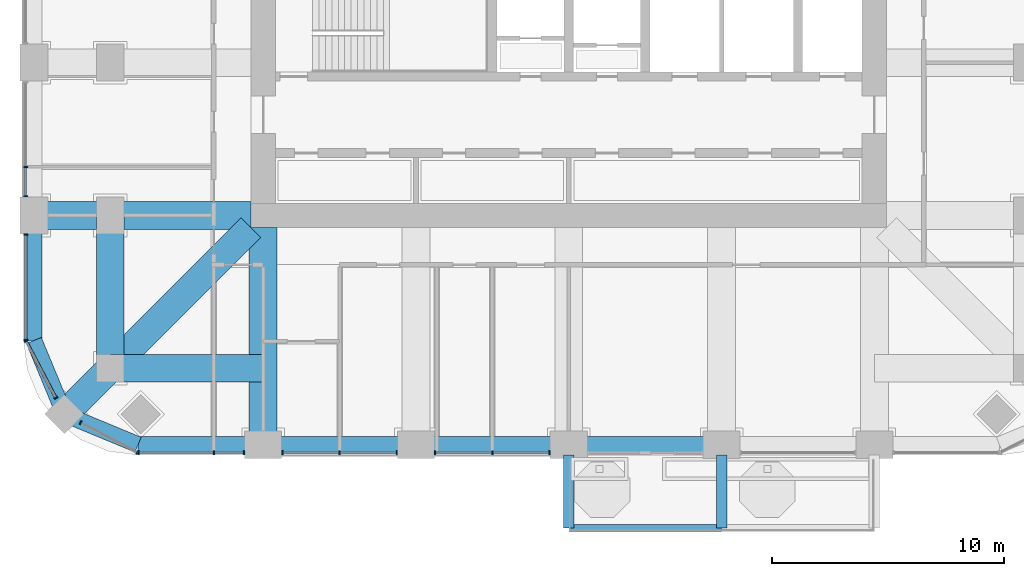
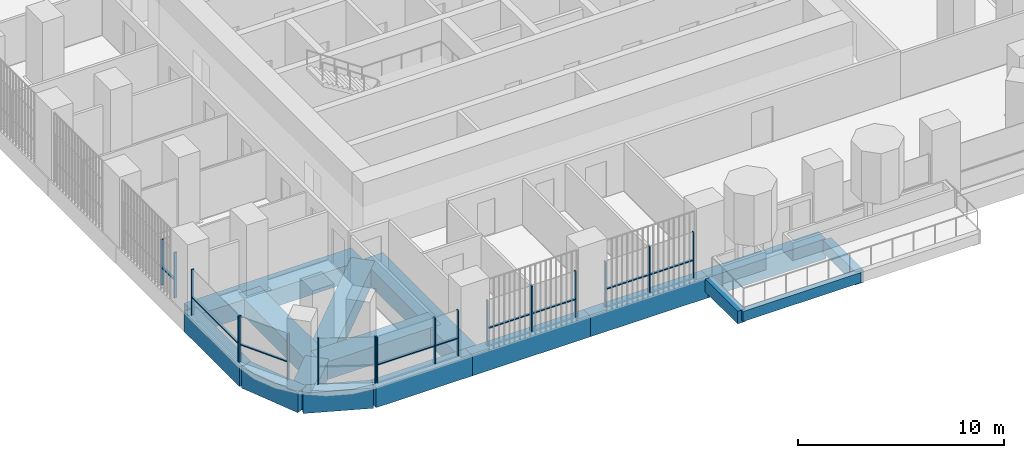
# One storey, part 2 of 19: 26 members, 16 beams, 7 elements without a shape of their own.
"""IFC4 building model written with IfcOpenShell, lengths in metres."""

from ifc_helpers import new_model, si_unit, direction, frame, origin, origin_2d, place, context, subcontext, project, spatial, rectangle, extrude, material, material_profile, profile_set, type_object, element, aggregate, save


model = new_model("IFC4")

# Units and contexts
model_context = context("Model", 3, precision=1e-05, world=origin(), true_north=direction((0.0, 1.0)))
body_context = subcontext(model_context, "Body", "Model", "MODEL_VIEW")
ifc_project = project(units=[si_unit("LENGTHUNIT", "METRE"), si_unit("AREAUNIT", "SQUARE_METRE"), si_unit("VOLUMEUNIT", "CUBIC_METRE"), si_unit("PLANEANGLEUNIT", "RADIAN"), si_unit("MASSUNIT", "GRAM", prefix="KILO")], contexts=[model_context])

# Site, building, storey
site_placement = place(None, origin())
site = spatial("IfcSite", under=ifc_project, at=site_placement, CompositionType="ELEMENT")
building_placement = place(site_placement, origin())
building = spatial("IfcBuilding", under=site, at=building_placement, Name="Cobogo Forest Laboratory Tower", CompositionType="ELEMENT")
storey_placement = place(building_placement, frame((0.0, 0.0, 164.10009765625)))
storey = spatial("IfcBuildingStorey", under=building, at=storey_placement, Name="L37", CompositionType="ELEMENT", Elevation=164.10009765625)

# Beams
ifc_material_1 = material(Name="Concrete HA-40 (C40/50)", Category="concrete")
ifc_material_profile_1 = material_profile(ifc_material_1, rectangle(XDim=0.449951171875, YDim=0.75, at=origin_2d()), Name="RC 450x750")
ifc_profile_set_1 = profile_set([ifc_material_profile_1], Name="Concrete HA-40 (C40/50)")
beam_type_1 = type_object("IfcBeamType", Name="Balcony cantilever beam 450x750", PredefinedType="BEAM", material=ifc_profile_set_1)
for number, where, z_axis, x_axis, name in (
    (1, (26.39990234375, 2.85009765625, -0.625), (0.0, -1.0, 0.0), (1.0, 0.0, 0.0), "CB1 BAL-S1-C1 L37"),
    (2, (33.0, 2.85009765625, -0.625), (0.0, -1.0, 0.0), (1.0, 0.0, 0.0), "CB1 BAL-S1-C2 L37"),
):
    element("IfcBeam", number, at=place(storey_placement, frame(where, z_axis=z_axis, x_axis=x_axis)), inside=storey, type_object=beam_type_1, Name=name, PredefinedType="BEAM", context=body_context, shape_type="SweptSolid", body=[
        extrude(rectangle(XDim=0.449951171875, YDim=0.75, at=origin_2d()), origin(), (0.0, 0.0, 1.0), 3.150146484375),
    ])
ifc_material_profile_2 = material_profile(ifc_material_1, rectangle(XDim=0.300048828125, YDim=0.60009765625, at=origin_2d()), Name="RC 300x600")
ifc_profile_set_2 = profile_set([ifc_material_profile_2], Name="Concrete HA-40 (C40/50)")
beam_type_2 = type_object("IfcBeamType", Name="Balcony edge beam 300x600", PredefinedType="BEAM", material=ifc_profile_set_2)
beam_1_placement = place(storey_placement, frame((26.39990234375, -0.300048828125, -0.550048828125), z_axis=(1.0, 0.0, 0.0), x_axis=(0.0, 1.0, 0.0)))
element("IfcBeam", 3, at=beam_1_placement, inside=storey, type_object=beam_type_2, Name="BB1 BAL-S1-T1 L37", PredefinedType="BEAM", context=body_context, shape_type="SweptSolid", body=[
    extrude(rectangle(XDim=0.300048828125, YDim=0.60009765625, at=origin_2d()), origin(), (0.0, 0.0, 1.0), 6.60009765625),
])
ifc_material_profile_3 = material_profile(ifc_material_1, rectangle(XDim=1.199951171875, YDim=1.050048828125, at=origin_2d()), Name="RC 1200x1050")
ifc_profile_set_3 = profile_set([ifc_material_profile_3], Name="Concrete HA-40 (C40/50)")
beam_type_3 = type_object("IfcBeamType", Name="Laboratory floor wide beam 1200x1050", PredefinedType="BEAM", material=ifc_profile_set_3)
for number, where, z_axis, x_axis, name in (
    (4, (13.199951171875, 12.675048828125, -0.8251953125), (0.0, -1.0, 0.0), (1.0, 0.0, 0.0), "RB1 R-3-S L37"),
    (5, (12.675048828125, 13.199951171875, -0.8251953125), (-1.0, 0.0, 0.0), (0.0, -1.0, 0.0), "RB1 R-C-W L37"),
):
    element("IfcBeam", number, at=place(storey_placement, frame(where, z_axis=z_axis, x_axis=x_axis)), inside=storey, type_object=beam_type_3, Name=name, PredefinedType="BEAM", context=body_context, shape_type="SweptSolid", body=[
        extrude(rectangle(XDim=1.199951171875, YDim=1.050048828125, at=origin_2d()), origin(), (0.0, 0.0, 1.0), 9.375),
    ])
for number, where, z_axis, x_axis, name in (
    (6, (6.60009765625, 6.60009765625, -0.8251953125), (0.0, 1.0, 0.0), (-1.0, 0.0, 0.0), "RB1 G-SW-XC L37"),
    (7, (6.60009765625, 6.60009765625, -0.8251953125), (1.0, 0.0, 0.0), (0.0, 1.0, 0.0), "RB1 G-SW-YC L37"),
):
    element("IfcBeam", number, at=place(storey_placement, frame(where, z_axis=z_axis, x_axis=x_axis)), inside=storey, type_object=beam_type_3, Name=name, PredefinedType="BEAM", context=body_context, shape_type="SweptSolid", body=[
        extrude(rectangle(XDim=1.199951171875, YDim=1.050048828125, at=origin_2d()), origin(), (0.0, 0.0, 1.0), 6.599853515625),
    ])
beam_2_placement = place(storey_placement, frame((4.617919921875, 4.617919921875, -0.8251953125), z_axis=(0.707106781187, 0.707106781187, 0.0), x_axis=(-0.707106781187, 0.707106781187, 0.0)))
element("IfcBeam", 8, at=beam_2_placement, inside=storey, type_object=beam_type_3, Name="RB1 G-SW-D1 L37", PredefinedType="BEAM", context=body_context, shape_type="SweptSolid", body=[
    extrude(rectangle(XDim=1.199951171875, YDim=1.050048828125, at=origin_2d()), origin(), (0.0, 0.0, 1.0), 2.80322265625),
])
beam_3_placement = place(storey_placement, frame((6.60009765625, 6.60009765625, -0.8251953125), z_axis=(0.707106781187, 0.707106781187, 0.0), x_axis=(-0.707106781187, 0.707106781187, 0.0)))
element("IfcBeam", 9, at=beam_3_placement, inside=storey, type_object=beam_type_3, Name="RB1 G-SW-D2 L37", PredefinedType="BEAM", context=body_context, shape_type="SweptSolid", body=[
    extrude(rectangle(XDim=1.199951171875, YDim=1.050048828125, at=origin_2d()), origin(), (0.0, 0.0, 1.0), 8.59130859375),
])

# Curtain wall, members
ifc_material_2 = material(Name="Aluminium curtain wall", Category="aluminium")
curtain_wall_type = type_object("IfcCurtainWallType", Name="CW-2 unitised curtain wall, solar control glazing, laboratory floors zones C and D", PredefinedType="USERDEFINED", material=ifc_material_2)
curtain_wall_1_placement = place(storey_placement, origin())
curtain_wall_1 = element("IfcCurtainWall", 10, at=curtain_wall_1_placement, inside=storey, type_object=curtain_wall_type, Name="Curtain wall 01 L37", ObjectType="UNITISED CURTAIN WALL", PredefinedType="USERDEFINED")
ifc_material_3 = material(Name="Aluminium mullion", Category="aluminium")
ifc_material_profile_4 = material_profile(ifc_material_3, rectangle(XDim=0.06005859375, YDim=0.159912109375, at=origin_2d()), Name="AL 60x160")
ifc_profile_set_4 = profile_set([ifc_material_profile_4], Name="Aluminium mullion")
member_type_1 = type_object("IfcMemberType", Name="MU-1 aluminium mullion 60x160", PredefinedType="MULLION", material=ifc_profile_set_4)
member_1_placement = place(storey_placement, frame((7.830078125, 2.949951171875, 0.0), z_axis=(0.0, 0.0, 1.0), x_axis=(1.0, 0.0, 0.0)))
member_1 = element("IfcMember", 11, at=member_1_placement, type_object=member_type_1, Name="CW-2 mullion 1", PredefinedType="MULLION", context=body_context, shape_type="SweptSolid", body=[
    extrude(rectangle(XDim=0.06005859375, YDim=0.159912109375, at=origin_2d()), origin(), (0.0, 0.0, 1.0), 2.699951171875),
])
member_2_placement = place(storey_placement, frame((11.074951171875, 2.949951171875, 0.0), z_axis=(0.0, 0.0, 1.0), x_axis=(1.0, 0.0, 0.0)))
member_2 = element("IfcMember", 12, at=member_2_placement, type_object=member_type_1, Name="CW-2 mullion 2", PredefinedType="MULLION", context=body_context, shape_type="SweptSolid", body=[
    extrude(rectangle(XDim=0.06005859375, YDim=0.159912109375, at=origin_2d()), origin(), (0.0, 0.0, 1.0), 2.699951171875),
])
member_3_placement = place(storey_placement, frame((12.3701171875, 2.949951171875, 0.0), z_axis=(0.0, 0.0, 1.0), x_axis=(1.0, 0.0, 0.0)))
member_3 = element("IfcMember", 13, at=member_3_placement, type_object=member_type_1, Name="CW-2 mullion 3", PredefinedType="MULLION", context=body_context, shape_type="SweptSolid", body=[
    extrude(rectangle(XDim=0.06005859375, YDim=0.159912109375, at=origin_2d()), origin(), (0.0, 0.0, 1.0), 2.699951171875),
])

curtain_wall_2_placement = place(storey_placement, origin())
curtain_wall_2 = element("IfcCurtainWall", 14, at=curtain_wall_2_placement, inside=storey, type_object=curtain_wall_type, Name="Curtain wall 02 L37", ObjectType="UNITISED CURTAIN WALL", PredefinedType="USERDEFINED")
member_4_placement = place(storey_placement, frame((14.030029296875, 2.949951171875, 0.0), z_axis=(0.0, 0.0, 1.0), x_axis=(1.0, 0.0, 0.0)))
member_4 = element("IfcMember", 15, at=member_4_placement, type_object=member_type_1, Name="CW-2 mullion 1", PredefinedType="MULLION", context=body_context, shape_type="SweptSolid", body=[
    extrude(rectangle(XDim=0.06005859375, YDim=0.159912109375, at=origin_2d()), origin(), (0.0, 0.0, 1.0), 2.699951171875),
])
member_5_placement = place(storey_placement, frame((16.5, 2.949951171875, 0.0), z_axis=(0.0, 0.0, 1.0), x_axis=(1.0, 0.0, 0.0)))
member_5 = element("IfcMember", 16, at=member_5_placement, type_object=member_type_1, Name="CW-2 mullion 2", PredefinedType="MULLION", context=body_context, shape_type="SweptSolid", body=[
    extrude(rectangle(XDim=0.06005859375, YDim=0.159912109375, at=origin_2d()), origin(), (0.0, 0.0, 1.0), 2.699951171875),
])
member_6_placement = place(storey_placement, frame((18.969970703125, 2.949951171875, 0.0), z_axis=(0.0, 0.0, 1.0), x_axis=(1.0, 0.0, 0.0)))
member_6 = element("IfcMember", 17, at=member_6_placement, type_object=member_type_1, Name="CW-2 mullion 3", PredefinedType="MULLION", context=body_context, shape_type="SweptSolid", body=[
    extrude(rectangle(XDim=0.06005859375, YDim=0.159912109375, at=origin_2d()), origin(), (0.0, 0.0, 1.0), 2.699951171875),
])

curtain_wall_3_placement = place(storey_placement, origin())
curtain_wall_3 = element("IfcCurtainWall", 18, at=curtain_wall_3_placement, inside=storey, type_object=curtain_wall_type, Name="Curtain wall 03 L37", ObjectType="UNITISED CURTAIN WALL", PredefinedType="USERDEFINED")
member_7_placement = place(storey_placement, frame((20.6298828125, 2.949951171875, 0.0), z_axis=(0.0, 0.0, 1.0), x_axis=(1.0, 0.0, 0.0)))
member_7 = element("IfcMember", 19, at=member_7_placement, type_object=member_type_1, Name="CW-2 mullion 1", PredefinedType="MULLION", context=body_context, shape_type="SweptSolid", body=[
    extrude(rectangle(XDim=0.06005859375, YDim=0.159912109375, at=origin_2d()), origin(), (0.0, 0.0, 1.0), 2.699951171875),
])
member_8_placement = place(storey_placement, frame((23.10009765625, 2.949951171875, 0.0), z_axis=(0.0, 0.0, 1.0), x_axis=(1.0, 0.0, 0.0)))
member_8 = element("IfcMember", 20, at=member_8_placement, type_object=member_type_1, Name="CW-2 mullion 2", PredefinedType="MULLION", context=body_context, shape_type="SweptSolid", body=[
    extrude(rectangle(XDim=0.06005859375, YDim=0.159912109375, at=origin_2d()), origin(), (0.0, 0.0, 1.0), 2.699951171875),
])
member_9_placement = place(storey_placement, frame((25.570068359375, 2.949951171875, 0.0), z_axis=(0.0, 0.0, 1.0), x_axis=(1.0, 0.0, 0.0)))
member_9 = element("IfcMember", 21, at=member_9_placement, type_object=member_type_1, Name="CW-2 mullion 3", PredefinedType="MULLION", context=body_context, shape_type="SweptSolid", body=[
    extrude(rectangle(XDim=0.06005859375, YDim=0.159912109375, at=origin_2d()), origin(), (0.0, 0.0, 1.0), 2.699951171875),
])

curtain_wall_4_placement = place(storey_placement, origin())
curtain_wall_4 = element("IfcCurtainWall", 22, at=curtain_wall_4_placement, inside=storey, type_object=curtain_wall_type, Name="Curtain wall 27 L37", ObjectType="UNITISED CURTAIN WALL", PredefinedType="USERDEFINED")
member_10_placement = place(storey_placement, frame((2.949951171875, 15.300048828125, 0.0), z_axis=(0.0, 0.0, 1.0), x_axis=(0.0, -1.0, 0.0)))
member_10 = element("IfcMember", 23, at=member_10_placement, type_object=member_type_1, Name="CW-2 mullion 2", PredefinedType="MULLION", context=body_context, shape_type="SweptSolid", body=[
    extrude(rectangle(XDim=0.06005859375, YDim=0.159912109375, at=origin_2d()), origin(), (0.0, 0.0, 1.0), 2.699951171875),
])
member_11_placement = place(storey_placement, frame((2.949951171875, 14.030029296875, 0.0), z_axis=(0.0, 0.0, 1.0), x_axis=(0.0, -1.0, 0.0)))
member_11 = element("IfcMember", 24, at=member_11_placement, type_object=member_type_1, Name="CW-2 mullion 3", PredefinedType="MULLION", context=body_context, shape_type="SweptSolid", body=[
    extrude(rectangle(XDim=0.06005859375, YDim=0.159912109375, at=origin_2d()), origin(), (0.0, 0.0, 1.0), 2.699951171875),
])

curtain_wall_5_placement = place(storey_placement, origin())
curtain_wall_5 = element("IfcCurtainWall", 25, at=curtain_wall_5_placement, inside=storey, type_object=curtain_wall_type, Name="Curtain wall 28 L37", ObjectType="UNITISED CURTAIN WALL", PredefinedType="USERDEFINED")
member_12_placement = place(storey_placement, frame((2.949951171875, 12.3701171875, 0.0), z_axis=(0.0, 0.0, 1.0), x_axis=(0.0, -1.0, 0.0)))
member_12 = element("IfcMember", 26, at=member_12_placement, type_object=member_type_1, Name="CW-2 mullion 1", PredefinedType="MULLION", context=body_context, shape_type="SweptSolid", body=[
    extrude(rectangle(XDim=0.06005859375, YDim=0.159912109375, at=origin_2d()), origin(), (0.0, 0.0, 1.0), 2.699951171875),
])
member_13_placement = place(storey_placement, frame((2.949951171875, 7.830078125, 0.0), z_axis=(0.0, 0.0, 1.0), x_axis=(0.0, -1.0, 0.0)))
member_13 = element("IfcMember", 27, at=member_13_placement, type_object=member_type_1, Name="CW-2 mullion 2", PredefinedType="MULLION", context=body_context, shape_type="SweptSolid", body=[
    extrude(rectangle(XDim=0.06005859375, YDim=0.159912109375, at=origin_2d()), origin(), (0.0, 0.0, 1.0), 2.699951171875),
])

curtain_wall_6_placement = place(storey_placement, origin())
curtain_wall_6 = element("IfcCurtainWall", 28, at=curtain_wall_6_placement, inside=storey, type_object=curtain_wall_type, Name="Curtain wall 29 L37", ObjectType="UNITISED CURTAIN WALL", PredefinedType="USERDEFINED")
member_14_placement = place(storey_placement, frame((2.9638671875, 7.7734375, 0.0), z_axis=(0.0, 0.0, 1.0), x_axis=(0.464283818822, -0.885686477022, 0.0)))
member_14 = element("IfcMember", 29, at=member_14_placement, type_object=member_type_1, Name="CW-2 mullion 1", PredefinedType="MULLION", context=body_context, shape_type="SweptSolid", body=[
    extrude(rectangle(XDim=0.06005859375, YDim=0.159912109375, at=origin_2d()), origin(), (0.0, 0.0, 1.0), 2.699951171875),
])
member_15_placement = place(storey_placement, frame((4.2490234375, 5.322021484375, 0.0), z_axis=(0.0, 0.0, 1.0), x_axis=(0.464283818822, -0.885686477022, 0.0)))
member_15 = element("IfcMember", 30, at=member_15_placement, type_object=member_type_1, Name="CW-2 mullion 2", PredefinedType="MULLION", context=body_context, shape_type="SweptSolid", body=[
    extrude(rectangle(XDim=0.06005859375, YDim=0.159912109375, at=origin_2d()), origin(), (0.0, 0.0, 1.0), 2.699951171875),
])

curtain_wall_7_placement = place(storey_placement, origin())
curtain_wall_7 = element("IfcCurtainWall", 31, at=curtain_wall_7_placement, inside=storey, type_object=curtain_wall_type, Name="Curtain wall 30 L37", ObjectType="UNITISED CURTAIN WALL", PredefinedType="USERDEFINED")
member_16_placement = place(storey_placement, frame((5.322021484375, 4.2490234375, 0.0), z_axis=(0.0, 0.0, 1.0), x_axis=(0.885686477022, -0.464283818822, 0.0)))
member_16 = element("IfcMember", 32, at=member_16_placement, type_object=member_type_1, Name="CW-2 mullion 1", PredefinedType="MULLION", context=body_context, shape_type="SweptSolid", body=[
    extrude(rectangle(XDim=0.06005859375, YDim=0.159912109375, at=origin_2d()), origin(), (0.0, 0.0, 1.0), 2.699951171875),
])
member_17_placement = place(storey_placement, frame((7.7734375, 2.9638671875, 0.0), z_axis=(0.0, 0.0, 1.0), x_axis=(0.885686477022, -0.464283818822, 0.0)))
member_17 = element("IfcMember", 33, at=member_17_placement, type_object=member_type_1, Name="CW-2 mullion 2", PredefinedType="MULLION", context=body_context, shape_type="SweptSolid", body=[
    extrude(rectangle(XDim=0.06005859375, YDim=0.159912109375, at=origin_2d()), origin(), (0.0, 0.0, 1.0), 2.699951171875),
])
aggregate(curtain_wall_7, [member_16, member_17])

# Beams
ifc_material_profile_5 = material_profile(ifc_material_1, rectangle(XDim=0.699951171875, YDim=1.199951171875, at=origin_2d()), Name="RC 700x1200")
ifc_profile_set_5 = profile_set([ifc_material_profile_5], Name="Concrete HA-40 (C40/50)")
beam_type_4 = type_object("IfcBeamType", Name="Perimeter edge beam 700x1200", PredefinedType="BEAM", material=ifc_profile_set_5)
beam_4_placement = place(storey_placement, frame((13.199951171875, 3.300048828125, -0.900146484375), z_axis=(1.0, 0.0, 0.0), x_axis=(0.0, 1.0, 0.0)))
element("IfcBeam", 34, at=beam_4_placement, inside=storey, type_object=beam_type_4, Name="EB1 E-S1 L37", PredefinedType="BEAM", context=body_context, shape_type="SweptSolid", body=[
    extrude(rectangle(XDim=0.699951171875, YDim=1.199951171875, at=origin_2d()), origin(), (0.0, 0.0, 1.0), 6.60009765625),
])
beam_5_placement = place(storey_placement, frame((19.800048828125, 3.300048828125, -0.900146484375), z_axis=(1.0, 0.0, 0.0), x_axis=(0.0, 1.0, 0.0)))
element("IfcBeam", 35, at=beam_5_placement, inside=storey, type_object=beam_type_4, Name="EB1 E-S2 L37", PredefinedType="BEAM", context=body_context, shape_type="SweptSolid", body=[
    extrude(rectangle(XDim=0.699951171875, YDim=1.199951171875, at=origin_2d()), origin(), (0.0, 0.0, 1.0), 6.599853515625),
])
beam_6_placement = place(storey_placement, frame((26.39990234375, 3.300048828125, -0.900146484375), z_axis=(1.0, 0.0, 0.0), x_axis=(0.0, 1.0, 0.0)))
element("IfcBeam", 36, at=beam_6_placement, inside=storey, type_object=beam_type_4, Name="EB1 E-S3 L37", PredefinedType="BEAM", context=body_context, shape_type="SweptSolid", body=[
    extrude(rectangle(XDim=0.699951171875, YDim=1.199951171875, at=origin_2d()), origin(), (0.0, 0.0, 1.0), 6.60009765625),
])
beam_7_placement = place(storey_placement, frame((13.199951171875, 3.300048828125, -0.900146484375), z_axis=(-1.0, 0.0, 0.0), x_axis=(0.0, -1.0, 0.0)))
element("IfcBeam", 37, at=beam_7_placement, inside=storey, type_object=beam_type_4, Name="EB1 E-SWS1 L37", PredefinedType="BEAM", context=body_context, shape_type="SweptSolid", body=[
    extrude(rectangle(XDim=0.699951171875, YDim=1.199951171875, at=origin_2d()), origin(), (0.0, 0.0, 1.0), 5.39990234375),
])
beam_8_placement = place(storey_placement, frame((7.800048828125, 3.300048828125, -0.900146484375), z_axis=(-0.923901072997, 0.382631424892, 0.0), x_axis=(-0.382631424892, -0.923901072997, 0.0)))
element("IfcBeam", 38, at=beam_8_placement, inside=storey, type_object=beam_type_4, Name="EB1 E-SWS2 L37", PredefinedType="BEAM", context=body_context, shape_type="SweptSolid", body=[
    extrude(rectangle(XDim=0.699951171875, YDim=1.199951171875, at=origin_2d()), origin(), (0.0, 0.0, 1.0), 3.4443359375),
])
beam_9_placement = place(storey_placement, frame((3.300048828125, 13.199951171875, -0.900146484375), z_axis=(0.0, -1.0, 0.0), x_axis=(1.0, 0.0, 0.0)))
element("IfcBeam", 39, at=beam_9_placement, inside=storey, type_object=beam_type_4, Name="EB1 E-SWW1 L37", PredefinedType="BEAM", context=body_context, shape_type="SweptSolid", body=[
    extrude(rectangle(XDim=0.699951171875, YDim=1.199951171875, at=origin_2d()), origin(), (0.0, 0.0, 1.0), 5.39990234375),
])
beam_10_placement = place(storey_placement, frame((3.300048828125, 7.800048828125, -0.900146484375), z_axis=(0.382631424892, -0.923901072997, 0.0), x_axis=(0.923901072997, 0.382631424892, 0.0)))
element("IfcBeam", 40, at=beam_10_placement, inside=storey, type_object=beam_type_4, Name="EB1 E-SWW2 L37", PredefinedType="BEAM", context=body_context, shape_type="SweptSolid", body=[
    extrude(rectangle(XDim=0.699951171875, YDim=1.199951171875, at=origin_2d()), origin(), (0.0, 0.0, 1.0), 3.4443359375),
])

# Member
ifc_material_4 = material(Name="Aluminium transom", Category="aluminium")
ifc_material_profile_6 = material_profile(ifc_material_4, rectangle(XDim=0.1201171875, YDim=0.06005859375, at=origin_2d()), Name="AL 60x120")
ifc_profile_set_6 = profile_set([ifc_material_profile_6], Name="Aluminium transom")
member_type_2 = type_object("IfcMemberType", Name="TR-1 aluminium transom 60x120", PredefinedType="USERDEFINED", material=ifc_profile_set_6)
member_18_placement = place(storey_placement, frame((7.860107421875, 2.949951171875, 1.0498046875), z_axis=(1.0, 0.0, 0.0), x_axis=(0.0, 1.0, 0.0)))
member_18 = element("IfcMember", 41, at=member_18_placement, type_object=member_type_2, Name="CW-2 transom 1.1", ObjectType="TRANSOM", PredefinedType="USERDEFINED", context=body_context, shape_type="SweptSolid", body=[
    extrude(rectangle(XDim=0.1201171875, YDim=0.06005859375, at=origin_2d()), origin(), (0.0, 0.0, 1.0), 3.184814453125),
])

member_19_placement = place(storey_placement, frame((11.10498046875, 2.949951171875, 1.0498046875), z_axis=(1.0, 0.0, 0.0), x_axis=(0.0, 1.0, 0.0)))
member_19 = element("IfcMember", 42, at=member_19_placement, type_object=member_type_2, Name="CW-2 transom 2.1", ObjectType="TRANSOM", PredefinedType="USERDEFINED", context=body_context, shape_type="SweptSolid", body=[
    extrude(rectangle(XDim=0.1201171875, YDim=0.06005859375, at=origin_2d()), origin(), (0.0, 0.0, 1.0), 1.235107421875),
])

aggregate(curtain_wall_1, [member_1, member_2, member_3, member_18, member_19])

member_20_placement = place(storey_placement, frame((14.06005859375, 2.949951171875, 1.0498046875), z_axis=(1.0, 0.0, 0.0), x_axis=(0.0, 1.0, 0.0)))
member_20 = element("IfcMember", 43, at=member_20_placement, type_object=member_type_2, Name="CW-2 transom 1.1", ObjectType="TRANSOM", PredefinedType="USERDEFINED", context=body_context, shape_type="SweptSolid", body=[
    extrude(rectangle(XDim=0.1201171875, YDim=0.06005859375, at=origin_2d()), origin(), (0.0, 0.0, 1.0), 2.409912109375),
])

member_21_placement = place(storey_placement, frame((16.530029296875, 2.949951171875, 1.0498046875), z_axis=(1.0, 0.0, 0.0), x_axis=(0.0, 1.0, 0.0)))
member_21 = element("IfcMember", 44, at=member_21_placement, type_object=member_type_2, Name="CW-2 transom 2.1", ObjectType="TRANSOM", PredefinedType="USERDEFINED", context=body_context, shape_type="SweptSolid", body=[
    extrude(rectangle(XDim=0.1201171875, YDim=0.06005859375, at=origin_2d()), origin(), (0.0, 0.0, 1.0), 2.409912109375),
])

aggregate(curtain_wall_2, [member_4, member_5, member_6, member_20, member_21])

member_22_placement = place(storey_placement, frame((20.659912109375, 2.949951171875, 1.0498046875), z_axis=(1.0, 0.0, 0.0), x_axis=(0.0, 1.0, 0.0)))
member_22 = element("IfcMember", 45, at=member_22_placement, type_object=member_type_2, Name="CW-2 transom 1.1", ObjectType="TRANSOM", PredefinedType="USERDEFINED", context=body_context, shape_type="SweptSolid", body=[
    extrude(rectangle(XDim=0.1201171875, YDim=0.06005859375, at=origin_2d()), origin(), (0.0, 0.0, 1.0), 2.41015625),
])

member_23_placement = place(storey_placement, frame((23.1298828125, 2.949951171875, 1.0498046875), z_axis=(1.0, 0.0, 0.0), x_axis=(0.0, 1.0, 0.0)))
member_23 = element("IfcMember", 46, at=member_23_placement, type_object=member_type_2, Name="CW-2 transom 2.1", ObjectType="TRANSOM", PredefinedType="USERDEFINED", context=body_context, shape_type="SweptSolid", body=[
    extrude(rectangle(XDim=0.1201171875, YDim=0.06005859375, at=origin_2d()), origin(), (0.0, 0.0, 1.0), 2.41015625),
])

aggregate(curtain_wall_3, [member_7, member_8, member_9, member_22, member_23])

member_24_placement = place(storey_placement, frame((2.949951171875, 15.27001953125, 1.0498046875), z_axis=(0.0, -1.0, 0.0), x_axis=(1.0, 0.0, 0.0)))
member_24 = element("IfcMember", 47, at=member_24_placement, type_object=member_type_2, Name="CW-2 transom 2.1", ObjectType="TRANSOM", PredefinedType="USERDEFINED", context=body_context, shape_type="SweptSolid", body=[
    extrude(rectangle(XDim=0.1201171875, YDim=0.06005859375, at=origin_2d()), origin(), (0.0, 0.0, 1.0), 1.2099609375),
])

aggregate(curtain_wall_4, [member_10, member_11, member_24])

member_25_placement = place(storey_placement, frame((2.949951171875, 12.340087890625, 1.0498046875), z_axis=(0.0, -1.0, 0.0), x_axis=(1.0, 0.0, 0.0)))
member_25 = element("IfcMember", 48, at=member_25_placement, type_object=member_type_2, Name="CW-2 transom 1.1", ObjectType="TRANSOM", PredefinedType="USERDEFINED", context=body_context, shape_type="SweptSolid", body=[
    extrude(rectangle(XDim=0.1201171875, YDim=0.06005859375, at=origin_2d()), origin(), (0.0, 0.0, 1.0), 4.47998046875),
])

aggregate(curtain_wall_5, [member_12, member_13, member_25])

member_26_placement = place(storey_placement, frame((2.977783203125, 7.746826171875, 1.0498046875), z_axis=(0.464296684055, -0.885679732847, 0.0), x_axis=(0.885679732847, 0.464296684055, 0.0)))
member_26 = element("IfcMember", 49, at=member_26_placement, type_object=member_type_2, Name="CW-2 transom 1.1", ObjectType="TRANSOM", PredefinedType="USERDEFINED", context=body_context, shape_type="SweptSolid", body=[
    extrude(rectangle(XDim=0.1201171875, YDim=0.06005859375, at=origin_2d()), origin(), (0.0, 0.0, 1.0), 2.7080078125),
])

aggregate(curtain_wall_6, [member_14, member_15, member_26])

save(model, "model.ifc")
